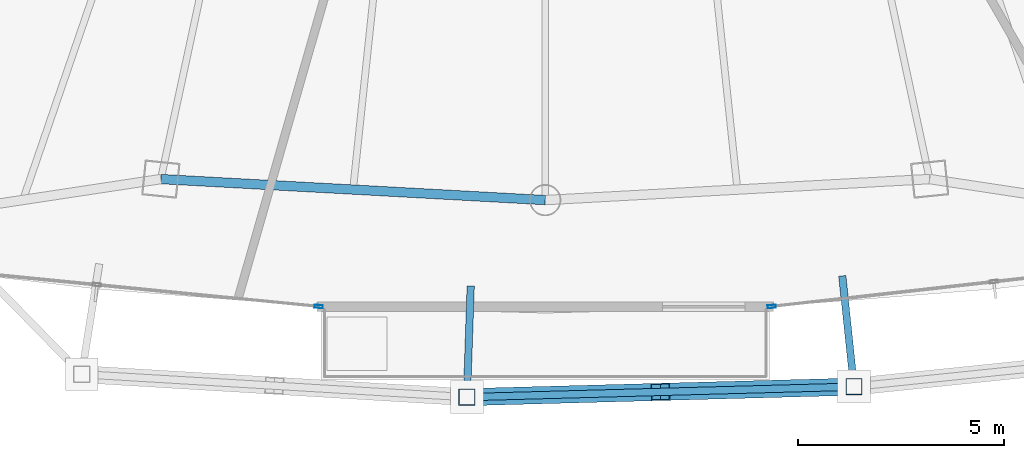
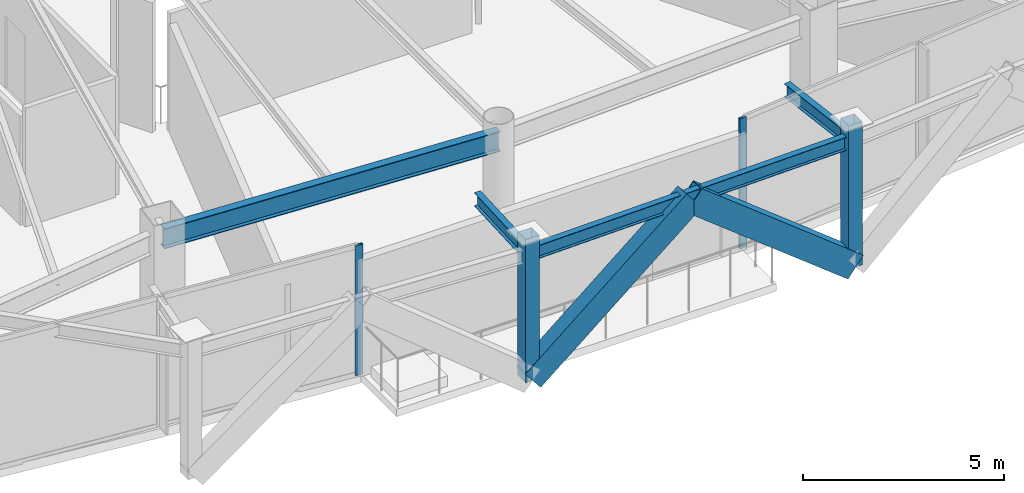
# One storey, part 6 of 27: 6 members, 4 beams, 2 elements without a shape of their own.
"""IFC4 building model written with IfcOpenShell, lengths in metres."""

from ifc_helpers import new_model, si_unit, direction, frame, origin, origin_2d, place, context, subcontext, project, spatial, hollow_rectangle, i_section, extrude, material, layer, layer_set, material_profile, profile_set, type_object, element, aggregate, save


model = new_model("IFC4")

# Units and contexts
model_context = context("Model", 3, precision=1e-05, world=origin(), true_north=direction((0.0, 1.0)))
body_context = subcontext(model_context, "Body", "Model", "MODEL_VIEW")
ifc_project = project(units=[si_unit("LENGTHUNIT", "METRE"), si_unit("AREAUNIT", "SQUARE_METRE"), si_unit("VOLUMEUNIT", "CUBIC_METRE"), si_unit("PLANEANGLEUNIT", "RADIAN"), si_unit("MASSUNIT", "GRAM", prefix="KILO")], contexts=[model_context])

# Site, building, storey
site_placement = place(None, origin())
site = spatial("IfcSite", under=ifc_project, at=site_placement, CompositionType="ELEMENT")
building_placement = place(site_placement, origin())
building = spatial("IfcBuilding", under=site, at=building_placement, Name="Orvanel Arch Residences", CompositionType="ELEMENT")
storey_placement = place(building_placement, frame((0.0, 0.0, 186.949951171875)))
storey = spatial("IfcBuildingStorey", under=building, at=storey_placement, Name="L53", CompositionType="ELEMENT", Elevation=186.949951171875)

# Members
ifc_material_1 = material(Name="Structural steel AS/NZS 3678 Grade 350", Category="steel")
ifc_material_profile_1 = material_profile(ifc_material_1, hollow_rectangle(XDim=0.419921875, YDim=0.719970703125, WallThickness=0.02490234375, at=origin_2d()), Name="RHS720x420x25")
ifc_profile_set_1 = profile_set([ifc_material_profile_1], Name="Structural steel AS/NZS 3678 Grade 350")
member_type_1 = type_object("IfcMemberType", Name="BR-720RHS-EXT", PredefinedType="BRACE", material=ifc_profile_set_1)
for number, where, z_axis, x_axis, name in (
    (1, (31.094970703125, 2.050048828125, 0.0), (0.782257122267, 0.021256105168, 0.622592942986), (-0.027162759628, 0.999631024173, 0.0), "L53 Exterior Sky-Garden V-Frame Chevron F2B2.1"),
    (2, (40.510986328125, 2.304931640625, 0.0), (-0.782259810005, -0.021093917299, 0.622595082139), (0.026955561557, -0.999636632833, 0.0), "L53 Exterior Sky-Garden V-Frame Chevron F2B2.2"),
):
    element("IfcMember", number, at=place(storey_placement, frame(where, z_axis=z_axis, x_axis=x_axis)), inside=storey, type_object=member_type_1, Name=name, PredefinedType="BRACE", context=body_context, shape_type="SweptSolid", body=[
        extrude(hollow_rectangle(XDim=0.419921875, YDim=0.719970703125, WallThickness=0.02490234375, at=origin_2d()), origin(), (0.0, 0.0, 1.0), 6.0185546875),
    ])

# Curtain wall, member
ifc_material_2 = material(Name="Bronze-anodised aluminium AA6063-T6", Category="aluminium")
ifc_layer = layer(ifc_material_2, 0.195068359375)
ifc_layer_set = layer_set([ifc_layer], Name="Bronze-anodised aluminium AA6063-T6")
curtain_wall_type = type_object("IfcCurtainWallType", Name="CW6-COM-SYS", PredefinedType="NOTDEFINED", material=ifc_layer_set)
curtain_wall_1_placement = place(storey_placement, origin())
curtain_wall_1 = element("IfcCurtainWall", 3, at=curtain_wall_1_placement, inside=storey, type_object=curtain_wall_type, Name="L53 CW6-COM-SYS Unitised Curtain Wall", PredefinedType="NOTDEFINED")
ifc_material_profile_2 = material_profile(ifc_material_2, hollow_rectangle(XDim=0.074951171875, YDim=0.199951171875, WallThickness=0.0048828125, at=origin_2d()), Name="ALU200x75x5")
ifc_profile_set_2 = profile_set([ifc_material_profile_2], Name="Bronze-anodised aluminium AA6063-T6")
member_type_2 = type_object("IfcMemberType", Name="MUL-200x75", PredefinedType="MULLION", material=ifc_profile_set_2)
member_1_placement = place(storey_placement, frame((27.48974609375, 4.254638671875, 0.0), z_axis=(0.0, 0.0, 1.0), x_axis=(0.097898678362, 0.995196387039, 0.0)))
member_1 = element("IfcMember", 4, at=member_1_placement, type_object=member_type_2, Name="CW-S6 mullion 3", PredefinedType="MULLION", context=body_context, shape_type="SweptSolid", body=[
    extrude(hollow_rectangle(XDim=0.074951171875, YDim=0.199951171875, WallThickness=0.0048828125, at=origin_2d()), origin(), (0.0, 0.0, 1.0), 3.949951171875),
])
aggregate(curtain_wall_1, [member_1])

curtain_wall_2_placement = place(storey_placement, origin())
curtain_wall_2 = element("IfcCurtainWall", 5, at=curtain_wall_2_placement, inside=storey, type_object=curtain_wall_type, Name="L53 CW6-COM-SYS Unitised Curtain Wall", PredefinedType="NOTDEFINED")
member_2_placement = place(storey_placement, frame((38.51025390625, 4.255126953125, 0.0), z_axis=(0.0, 0.0, 1.0), x_axis=(-0.111306962965, 0.993786073557, 0.0)))
member_2 = element("IfcMember", 6, at=member_2_placement, type_object=member_type_2, Name="CW-S6 mullion 1", PredefinedType="MULLION", context=body_context, shape_type="SweptSolid", body=[
    extrude(hollow_rectangle(XDim=0.074951171875, YDim=0.199951171875, WallThickness=0.0048828125, at=origin_2d()), origin(), (0.0, 0.0, 1.0), 3.949951171875),
])
aggregate(curtain_wall_2, [member_2])

# Beams
ifc_material_3 = material(Name="Structural steel AS/NZS 3679.1 Grade 300 (300 MPa)", Category="steel")
ifc_material_profile_3 = material_profile(ifc_material_3, i_section(OverallWidth=0.177978515625, OverallDepth=0.406005859375, WebThickness=0.0078125, FlangeThickness=0.0126953125, at=origin_2d()), Name="410UB59.7")
ifc_profile_set_3 = profile_set([ifc_material_profile_3], Name="Structural steel AS/NZS 3679.1 Grade 300 (300 MPa)")
beam_type_1 = type_object("IfcBeamType", Name="OB-410UB-EXT", PredefinedType="SPANDREL", material=ifc_profile_set_3)
beam_1_placement = place(storey_placement, frame((31.18701171875, 4.75390625, 3.7470703125), z_axis=(-0.034020926638, -0.999421120725, 0.0), x_axis=(0.999421120725, -0.034020926638, 0.0)))
element("IfcBeam", 7, at=beam_1_placement, inside=storey, type_object=beam_type_1, Name="L53 Outer Frame Radial Tie Beam 06", PredefinedType="SPANDREL", context=body_context, shape_type="SweptSolid", body=[
    extrude(i_section(OverallWidth=0.177978515625, OverallDepth=0.406005859375, WebThickness=0.0078125, FlangeThickness=0.0126953125, at=origin_2d()), origin(), (0.0, 0.0, 1.0), 2.705322265625),
])
beam_2_placement = place(storey_placement, frame((31.094970703125, 2.050048828125, 3.7470703125), z_axis=(0.999633833863, 0.027059161029, 0.0), x_axis=(-0.027059161029, 0.999633833863, 0.0)))
element("IfcBeam", 8, at=beam_2_placement, inside=storey, type_object=beam_type_1, Name="L53 Outer Perimeter Floor Ring Beam 06", PredefinedType="SPANDREL", context=body_context, shape_type="SweptSolid", body=[
    extrude(i_section(OverallWidth=0.177978515625, OverallDepth=0.406005859375, WebThickness=0.0078125, FlangeThickness=0.0126953125, at=origin_2d()), origin(), (0.0, 0.0, 1.0), 9.41943359375),
])
beam_3_placement = place(storey_placement, frame((40.22607421875, 5.0, 3.7470703125), z_axis=(0.105130267395, -0.994458459101, 0.0), x_axis=(0.994458459101, 0.105130267395, 0.0)))
element("IfcBeam", 9, at=beam_3_placement, inside=storey, type_object=beam_type_1, Name="L53 Outer Frame Radial Tie Beam 07", PredefinedType="SPANDREL", context=body_context, shape_type="SweptSolid", body=[
    extrude(i_section(OverallWidth=0.177978515625, OverallDepth=0.406005859375, WebThickness=0.0078125, FlangeThickness=0.0126953125, at=origin_2d()), origin(), (0.0, 0.0, 1.0), 2.710205078125),
])
ifc_material_profile_4 = material_profile(ifc_material_3, i_section(OverallWidth=0.22900390625, OverallDepth=0.612060546875, WebThickness=0.011962890625, FlangeThickness=0.01953125, at=origin_2d()), Name="610UB125")
ifc_profile_set_4 = profile_set([ifc_material_profile_4], Name="Structural steel AS/NZS 3679.1 Grade 300 (300 MPa)")
beam_type_2 = type_object("IfcBeamType", Name="SP-610UB", PredefinedType="SPANDREL", material=ifc_profile_set_4)
beam_4_placement = place(storey_placement, frame((23.64892578125, 7.35498046875, 3.64404296875), z_axis=(0.998510315598, -0.054563262768, 0.0), x_axis=(0.054563262768, 0.998510315598, 0.0)))
element("IfcBeam", 10, at=beam_4_placement, inside=storey, type_object=beam_type_2, Name="L53 Perimeter Spandrel Beam 05", PredefinedType="SPANDREL", context=body_context, shape_type="SweptSolid", body=[
    extrude(i_section(OverallWidth=0.22900390625, OverallDepth=0.612060546875, WebThickness=0.011962890625, FlangeThickness=0.01953125, at=origin_2d()), origin(), (0.0, 0.0, 1.0), 9.364990234375),
])

# Members
ifc_material_4 = material(Name="Structural steel AS/NZS 1163 C450L0 (Grade 450)", Category="steel")
ifc_material_profile_5 = material_profile(ifc_material_4, hollow_rectangle(XDim=0.39990234375, YDim=0.39990234375, WallThickness=0.01611328125, at=origin_2d()), Name="SHS400x400x16")
ifc_profile_set_5 = profile_set([ifc_material_profile_5], Name="Structural steel AS/NZS 1163 C450L0 (Grade 450)")
member_type_3 = type_object("IfcMemberType", Name="ST-400SHS-EXT", PredefinedType="STRUT", material=ifc_profile_set_5)
for number, where, z_axis, x_axis, name in (
    (11, (31.094970703125, 2.050048828125, 0.0), (0.0, 0.0, 1.0), (1.0, 0.0, 0.0), "L53 Outer Perimeter Frame Post 06"),
    (12, (40.510986328125, 2.304931640625, 0.0), (0.0, 0.0, 1.0), (1.0, 0.0, 0.0), "L53 Outer Perimeter Frame Post 07"),
):
    element("IfcMember", number, at=place(storey_placement, frame(where, z_axis=z_axis, x_axis=x_axis)), inside=storey, type_object=member_type_3, Name=name, PredefinedType="STRUT", context=body_context, shape_type="SweptSolid", body=[
        extrude(hollow_rectangle(XDim=0.39990234375, YDim=0.39990234375, WallThickness=0.01611328125, at=origin_2d()), origin(), (0.0, 0.0, 1.0), 4.35009765625),
    ])

save(model, "model.ifc")
